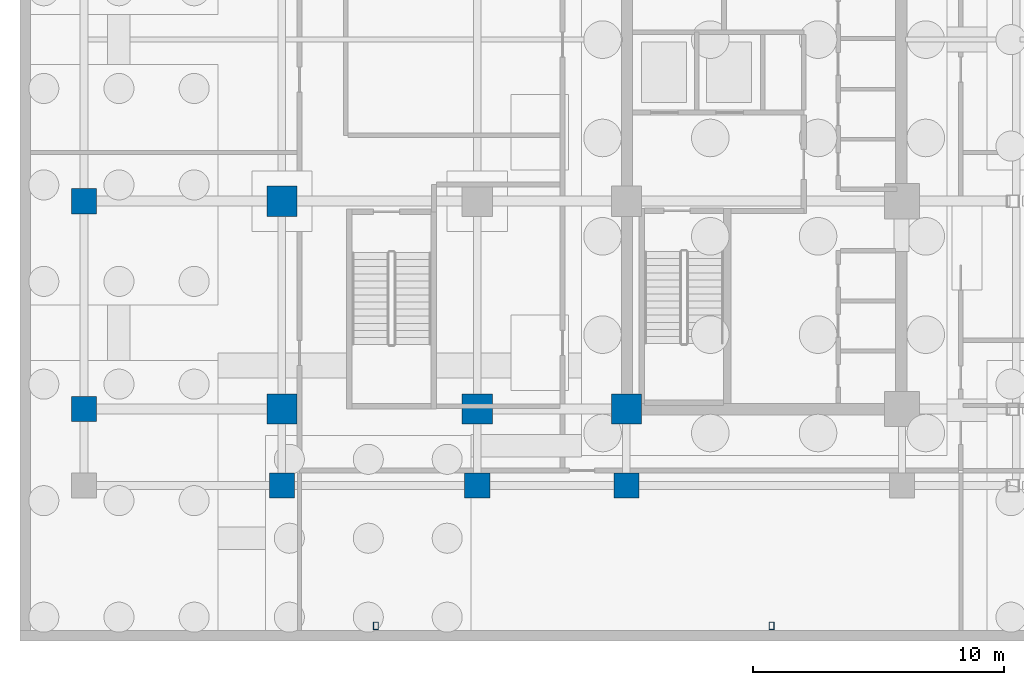
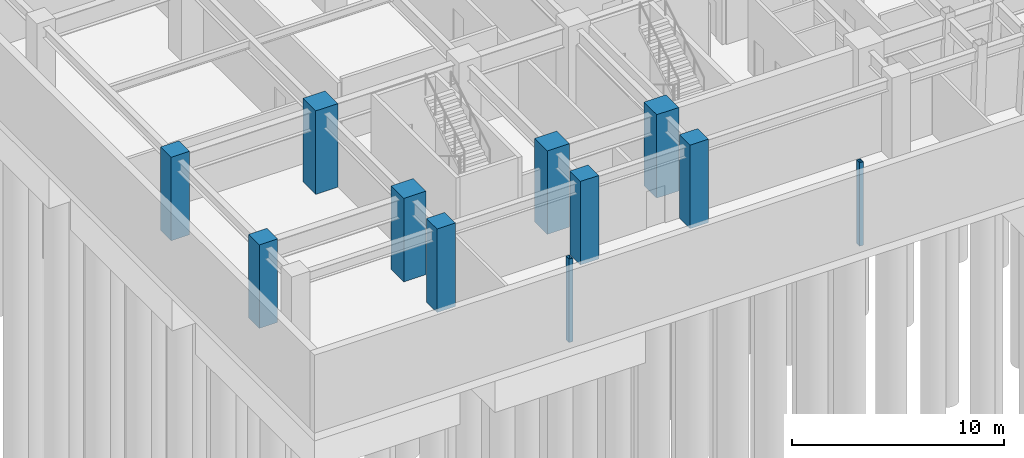
# One storey, part 4 of 13: 11 columns.
"""IFC4 building model written with IfcOpenShell, lengths in metres."""

from ifc_helpers import new_model, si_unit, direction, frame, origin, origin_2d, place, context, subcontext, project, spatial, rectangle, hollow_rectangle, extrude, material, material_profile, profile_set, type_object, element, save


model = new_model("IFC4")

# Units and contexts
model_context = context("Model", 3, precision=1e-05, world=origin(), true_north=direction((0.0, 1.0)))
body_context = subcontext(model_context, "Body", "Model", "MODEL_VIEW")
ifc_project = project(units=[si_unit("LENGTHUNIT", "METRE"), si_unit("AREAUNIT", "SQUARE_METRE"), si_unit("VOLUMEUNIT", "CUBIC_METRE"), si_unit("PLANEANGLEUNIT", "RADIAN"), si_unit("MASSUNIT", "GRAM", prefix="KILO")], contexts=[model_context])

# Site, building, storey
site_placement = place(None, origin())
site = spatial("IfcSite", under=ifc_project, at=site_placement, CompositionType="ELEMENT")
building_placement = place(site_placement, origin())
building = spatial("IfcBuilding", under=site, at=building_placement, Name="Ochreholt Gables", CompositionType="ELEMENT")
storey_placement = place(building_placement, frame((0.0, 0.0, -9.60009765625)))
storey = spatial("IfcBuildingStorey", under=building, at=storey_placement, Name="B2", CompositionType="ELEMENT", Elevation=-9.60009765625)

# Columns
ifc_material_1 = material(Name="Concrete 60 MPa", Category="concrete")
ifc_material_profile_1 = material_profile(ifc_material_1, rectangle(XDim=1.0, YDim=1.0, at=origin_2d()), Name="RC1000X1000")
ifc_profile_set_1 = profile_set([ifc_material_profile_1], Name="Concrete 60 MPa")
column_type_1 = type_object("IfcColumnType", Name="COL-RC1000-EXT", PredefinedType="COLUMN", material=ifc_profile_set_1)
for number, where, z_axis, x_axis, name in (
    (1, (2.550048828125, 9.25, 0.0), (0.0, 0.0, 1.0), (1.0, 0.0, 0.0), "B2 Column W1Y2"),
    (2, (2.550048828125, 17.550048828125, 0.0), (0.0, 0.0, 1.0), (1.0, 0.0, 0.0), "B2 Column W1Y3"),
    (3, (10.449951171875, 6.199951171875, 0.0), (0.0, 0.0, 1.0), (1.0, 0.0, 0.0), "B2 Column W2Y1"),
    (4, (18.25, 6.199951171875, 0.0), (0.0, 0.0, 1.0), (1.0, 0.0, 0.0), "B2 Column W3Y1"),
    (5, (24.199951171875, 6.199951171875, 0.0), (0.0, 0.0, 1.0), (1.0, 0.0, 0.0), "B2 Column C1Y1"),
):
    element("IfcColumn", number, at=place(storey_placement, frame(where, z_axis=z_axis, x_axis=x_axis)), inside=storey, type_object=column_type_1, Name=name, PredefinedType="COLUMN", context=body_context, shape_type="SweptSolid", body=[
        extrude(rectangle(XDim=1.0, YDim=1.0, at=origin_2d()), origin(), (0.0, 0.0, 1.0), 4.800048828125),
    ])
ifc_material_profile_2 = material_profile(ifc_material_1, rectangle(XDim=1.199951171875, YDim=1.199951171875, at=origin_2d()), Name="RC1200X1200")
ifc_profile_set_2 = profile_set([ifc_material_profile_2], Name="Concrete 60 MPa")
column_type_2 = type_object("IfcColumnType", Name="COL-RC1200-BASE", PredefinedType="COLUMN", material=ifc_profile_set_2)
for number, where, z_axis, x_axis, name in (
    (6, (10.449951171875, 9.25, 0.0), (0.0, 0.0, 1.0), (1.0, 0.0, 0.0), "B2 Column W2Y2"),
    (7, (10.449951171875, 17.550048828125, 0.0), (0.0, 0.0, 1.0), (1.0, 0.0, 0.0), "B2 Column W2Y3"),
    (8, (18.25, 9.25, 0.0), (0.0, 0.0, 1.0), (1.0, 0.0, 0.0), "B2 Column W3Y2"),
    (9, (24.199951171875, 9.25, 0.0), (0.0, 0.0, 1.0), (1.0, 0.0, 0.0), "B2 Column C1Y2"),
):
    element("IfcColumn", number, at=place(storey_placement, frame(where, z_axis=z_axis, x_axis=x_axis)), inside=storey, type_object=column_type_2, Name=name, PredefinedType="COLUMN", context=body_context, shape_type="SweptSolid", body=[
        extrude(rectangle(XDim=1.199951171875, YDim=1.199951171875, at=origin_2d()), origin(), (0.0, 0.0, 1.0), 4.800048828125),
    ])
ifc_material_2 = material(Name="Steel CSA G40.21 350W", Category="steel")
ifc_material_profile_3 = material_profile(ifc_material_2, hollow_rectangle(XDim=0.202880859375, YDim=0.304931640625, WallThickness=0.0126953125, at=origin_2d()), Name="HSS305X203X13")
ifc_profile_set_3 = profile_set([ifc_material_profile_3], Name="Steel CSA G40.21 350W")
column_type_3 = type_object("IfcColumnType", Name="PIL-HSS305-EXT", PredefinedType="PILASTER", material=ifc_profile_set_3)
for number, where, z_axis, x_axis, name in (
    (10, (14.199951171875, 0.60009765625, 0.0), (0.0, 0.0, 1.0), (1.0, 0.0, 0.0), "B2 Engaged Pilaster PL1"),
    (11, (30.0, 0.60009765625, 0.0), (0.0, 0.0, 1.0), (1.0, 0.0, 0.0), "B2 Engaged Pilaster PL2"),
):
    element("IfcColumn", number, at=place(storey_placement, frame(where, z_axis=z_axis, x_axis=x_axis)), inside=storey, type_object=column_type_3, Name=name, PredefinedType="PILASTER", context=body_context, shape_type="SweptSolid", body=[
        extrude(hollow_rectangle(XDim=0.202880859375, YDim=0.304931640625, WallThickness=0.0126953125, at=origin_2d()), origin(), (0.0, 0.0, 1.0), 4.800048828125),
    ])

save(model, "model.ifc")
